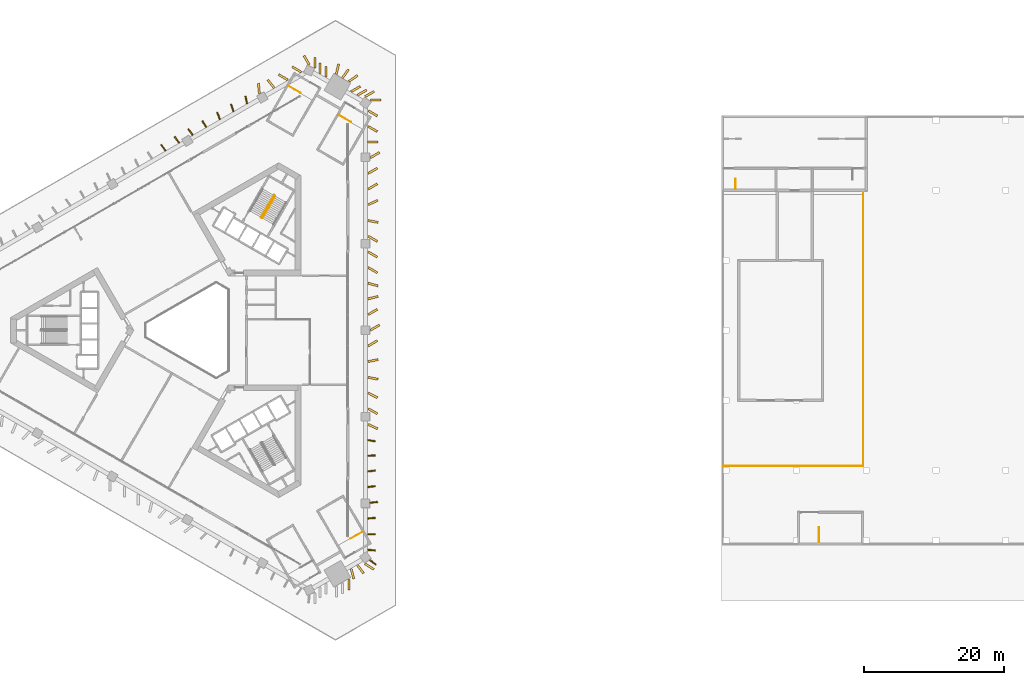
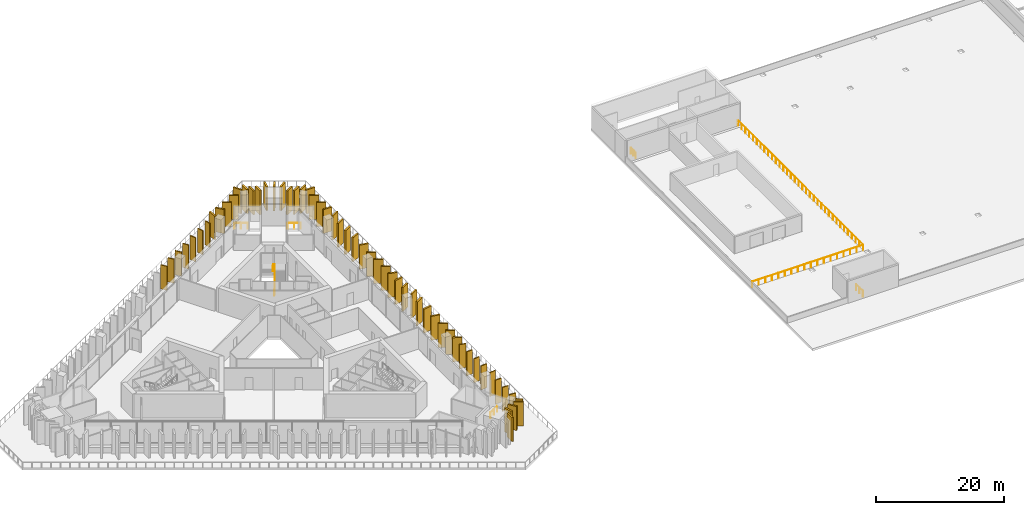
# One storey, part 30 of 31: 56 shading devices, 7 railings.
"""IFC4 building model written with IfcOpenShell, lengths in metres."""

from ifc_helpers import new_model, si_unit, direction, frame, frame_2d, origin, origin_2d, place, context, subcontext, project, spatial, rectangle, circle, extrude, material, layer, layer_set, type_object, element, save


model = new_model("IFC4")

# Units and contexts
model_context = context("Model", 3, precision=1e-05, world=origin(), true_north=direction((0.0, 1.0)))
body_context = subcontext(model_context, "Body", "Model", "MODEL_VIEW")
ifc_project = project(units=[si_unit("LENGTHUNIT", "METRE"), si_unit("AREAUNIT", "SQUARE_METRE"), si_unit("VOLUMEUNIT", "CUBIC_METRE"), si_unit("PLANEANGLEUNIT", "RADIAN"), si_unit("MASSUNIT", "GRAM", prefix="KILO")], contexts=[model_context])

# Site, building, storey
site_placement = place(None, origin())
site = spatial("IfcSite", under=ifc_project, at=site_placement, CompositionType="ELEMENT")
building_placement = place(site_placement, origin())
building = spatial("IfcBuilding", under=site, at=building_placement, Name="Jabali Bay Hotel Tower and Convention Centre", CompositionType="ELEMENT")
storey_placement = place(building_placement, frame((0.0, 0.0, 25.39990234375)))
storey = spatial("IfcBuildingStorey", under=building, at=storey_placement, Name="L04", CompositionType="ELEMENT", Elevation=25.39990234375)

# Railings
ifc_material_1 = material(Name="Stainless steel 304", Category="steel")
railing_type_1 = type_object("IfcRailingType", Name="CC Stair Guard 1100", PredefinedType="GUARDRAIL", material=ifc_material_1)
railing_1_placement = place(storey_placement, frame((152.050048828125, 100.175048828125, 0.0)))
element("IfcRailing", 1, at=railing_1_placement, inside=storey, type_object=railing_type_1, Name="L04 CC-STWA top well guard 1", PredefinedType="GUARDRAIL", context=body_context, shape_type="SweptSolid", body=[
    extrude(circle(Radius=0.02392578125, at=origin_2d()), frame((0.0, 0.0, 1.076171875), z_axis=(0.0, 1.0, 0.0), x_axis=(-1.0, 0.0, 0.0)), (0.0, 0.0, 1.0), 1.5),
    extrude(circle(Radius=0.02099609375, at=origin_2d()), origin(), (0.0, 0.0, 1.0), 1.052001953125),
    extrude(circle(Radius=0.02099609375, at=origin_2d()), frame((0.0, 0.75, 0.0)), (0.0, 0.0, 1.0), 1.052001953125),
    extrude(circle(Radius=0.02099609375, at=origin_2d()), frame((0.0, 1.5, 0.0)), (0.0, 0.0, 1.0), 1.052001953125),
])
railing_2_placement = place(storey_placement, frame((163.949951171875, 49.699951171875, 0.0)))
element("IfcRailing", 2, at=railing_2_placement, inside=storey, type_object=railing_type_1, Name="L04 CC-STS1 top well guard 1", PredefinedType="GUARDRAIL", context=body_context, shape_type="SweptSolid", body=[
    extrude(circle(Radius=0.02392578125, at=origin_2d()), frame((0.0, 0.0, 1.076171875), z_axis=(0.0, 1.0, 0.0), x_axis=(-1.0, 0.0, 0.0)), (0.0, 0.0, 1.0), 2.10009765625),
    extrude(circle(Radius=0.02099609375, at=origin_2d()), origin(), (0.0, 0.0, 1.0), 1.052001953125),
    extrude(circle(Radius=0.02099609375, at=origin_2d()), frame((0.0, 1.050048828125, 0.0)), (0.0, 0.0, 1.0), 1.052001953125),
    extrude(circle(Radius=0.02099609375, at=origin_2d()), frame((0.0, 2.10009765625, 0.0)), (0.0, 0.0, 1.0), 1.052001953125),
])
railing_type_2 = type_object("IfcRailingType", Name="CC Terrace Guard 1100", PredefinedType="GUARDRAIL", material=ifc_material_1)
railing_3_placement = place(storey_placement, frame((150.25, 60.60009765625, 0.0)))
element("IfcRailing", 3, at=railing_3_placement, inside=storey, type_object=railing_type_2, Name="CC roof garden terrace guard", PredefinedType="GUARDRAIL", context=body_context, shape_type="SweptSolid", body=[
    extrude(circle(Radius=0.02392578125, at=origin_2d()), frame((0.0, 0.0, 1.076171875), z_axis=(1.0, 0.0, 0.0), x_axis=(0.0, 1.0, 0.0)), (0.0, 0.0, 1.0), 20.050048828125),
    extrude(circle(Radius=0.02392578125, at=origin_2d()), frame((20.050048828125, 0.0, 1.076171875), z_axis=(0.0, 1.0, 0.0), x_axis=(-1.0, 0.0, 0.0)), (0.0, 0.0, 1.0), 39.224853515625),
    extrude(circle(Radius=0.02099609375, at=origin_2d()), origin(), (0.0, 0.0, 1.0), 1.052001953125),
    extrude(circle(Radius=0.02099609375, at=origin_2d()), frame((1.179443359375, 0.0, 0.0)), (0.0, 0.0, 1.0), 1.052001953125),
    extrude(circle(Radius=0.02099609375, at=origin_2d()), frame((2.35888671875, 0.0, 0.0)), (0.0, 0.0, 1.0), 1.052001953125),
    extrude(circle(Radius=0.02099609375, at=origin_2d()), frame((3.538330078125, 0.0, 0.0)), (0.0, 0.0, 1.0), 1.052001953125),
    extrude(circle(Radius=0.02099609375, at=origin_2d()), frame((4.7177734375, 0.0, 0.0)), (0.0, 0.0, 1.0), 1.052001953125),
    extrude(circle(Radius=0.02099609375, at=origin_2d()), frame((5.89697265625, 0.0, 0.0)), (0.0, 0.0, 1.0), 1.052001953125),
    extrude(circle(Radius=0.02099609375, at=origin_2d()), frame((7.076416015625, 0.0, 0.0)), (0.0, 0.0, 1.0), 1.052001953125),
    extrude(circle(Radius=0.02099609375, at=origin_2d()), frame((8.255859375, 0.0, 0.0)), (0.0, 0.0, 1.0), 1.052001953125),
    extrude(circle(Radius=0.02099609375, at=origin_2d()), frame((9.435302734375, 0.0, 0.0)), (0.0, 0.0, 1.0), 1.052001953125),
    extrude(circle(Radius=0.02099609375, at=origin_2d()), frame((10.61474609375, 0.0, 0.0)), (0.0, 0.0, 1.0), 1.052001953125),
    extrude(circle(Radius=0.02099609375, at=origin_2d()), frame((11.794189453125, 0.0, 0.0)), (0.0, 0.0, 1.0), 1.052001953125),
    extrude(circle(Radius=0.02099609375, at=origin_2d()), frame((12.9736328125, 0.0, 0.0)), (0.0, 0.0, 1.0), 1.052001953125),
    extrude(circle(Radius=0.02099609375, at=origin_2d()), frame((14.153076171875, 0.0, 0.0)), (0.0, 0.0, 1.0), 1.052001953125),
    extrude(circle(Radius=0.02099609375, at=origin_2d()), frame((15.332275390625, 0.0, 0.0)), (0.0, 0.0, 1.0), 1.052001953125),
    extrude(circle(Radius=0.02099609375, at=origin_2d()), frame((16.51171875, 0.0, 0.0)), (0.0, 0.0, 1.0), 1.052001953125),
    extrude(circle(Radius=0.02099609375, at=origin_2d()), frame((17.691162109375, 0.0, 0.0)), (0.0, 0.0, 1.0), 1.052001953125),
    extrude(circle(Radius=0.02099609375, at=origin_2d()), frame((18.87060546875, 0.0, 0.0)), (0.0, 0.0, 1.0), 1.052001953125),
    extrude(circle(Radius=0.02099609375, at=origin_2d()), frame((20.050048828125, 0.0, 0.0)), (0.0, 0.0, 1.0), 1.052001953125),
    extrude(circle(Radius=0.02099609375, at=origin_2d()), frame((20.050048828125, 1.188720703125, 0.0)), (0.0, 0.0, 1.0), 1.052001953125),
    extrude(circle(Radius=0.02099609375, at=origin_2d()), frame((20.050048828125, 2.377197265625, 0.0)), (0.0, 0.0, 1.0), 1.052001953125),
    extrude(circle(Radius=0.02099609375, at=origin_2d()), frame((20.050048828125, 3.56591796875, 0.0)), (0.0, 0.0, 1.0), 1.052001953125),
    extrude(circle(Radius=0.02099609375, at=origin_2d()), frame((20.050048828125, 4.754638671875, 0.0)), (0.0, 0.0, 1.0), 1.052001953125),
    extrude(circle(Radius=0.02099609375, at=origin_2d()), frame((20.050048828125, 5.943115234375, 0.0)), (0.0, 0.0, 1.0), 1.052001953125),
    extrude(circle(Radius=0.02099609375, at=origin_2d()), frame((20.050048828125, 7.1318359375, 0.0)), (0.0, 0.0, 1.0), 1.052001953125),
    extrude(circle(Radius=0.02099609375, at=origin_2d()), frame((20.050048828125, 8.3203125, 0.0)), (0.0, 0.0, 1.0), 1.052001953125),
    extrude(circle(Radius=0.02099609375, at=origin_2d()), frame((20.050048828125, 9.509033203125, 0.0)), (0.0, 0.0, 1.0), 1.052001953125),
    extrude(circle(Radius=0.02099609375, at=origin_2d()), frame((20.050048828125, 10.69775390625, 0.0)), (0.0, 0.0, 1.0), 1.052001953125),
    extrude(circle(Radius=0.02099609375, at=origin_2d()), frame((20.050048828125, 11.88623046875, 0.0)), (0.0, 0.0, 1.0), 1.052001953125),
    extrude(circle(Radius=0.02099609375, at=origin_2d()), frame((20.050048828125, 13.074951171875, 0.0)), (0.0, 0.0, 1.0), 1.052001953125),
    extrude(circle(Radius=0.02099609375, at=origin_2d()), frame((20.050048828125, 14.263671875, 0.0)), (0.0, 0.0, 1.0), 1.052001953125),
    extrude(circle(Radius=0.02099609375, at=origin_2d()), frame((20.050048828125, 15.4521484375, 0.0)), (0.0, 0.0, 1.0), 1.052001953125),
    extrude(circle(Radius=0.02099609375, at=origin_2d()), frame((20.050048828125, 16.640869140625, 0.0)), (0.0, 0.0, 1.0), 1.052001953125),
    extrude(circle(Radius=0.02099609375, at=origin_2d()), frame((20.050048828125, 17.82958984375, 0.0)), (0.0, 0.0, 1.0), 1.052001953125),
    extrude(circle(Radius=0.02099609375, at=origin_2d()), frame((20.050048828125, 19.01806640625, 0.0)), (0.0, 0.0, 1.0), 1.052001953125),
    extrude(circle(Radius=0.02099609375, at=origin_2d()), frame((20.050048828125, 20.206787109375, 0.0)), (0.0, 0.0, 1.0), 1.052001953125),
    extrude(circle(Radius=0.02099609375, at=origin_2d()), frame((20.050048828125, 21.395263671875, 0.0)), (0.0, 0.0, 1.0), 1.052001953125),
    extrude(circle(Radius=0.02099609375, at=origin_2d()), frame((20.050048828125, 22.583984375, 0.0)), (0.0, 0.0, 1.0), 1.052001953125),
    extrude(circle(Radius=0.02099609375, at=origin_2d()), frame((20.050048828125, 23.772705078125, 0.0)), (0.0, 0.0, 1.0), 1.052001953125),
    extrude(circle(Radius=0.02099609375, at=origin_2d()), frame((20.050048828125, 24.961181640625, 0.0)), (0.0, 0.0, 1.0), 1.052001953125),
    extrude(circle(Radius=0.02099609375, at=origin_2d()), frame((20.050048828125, 26.14990234375, 0.0)), (0.0, 0.0, 1.0), 1.052001953125),
    extrude(circle(Radius=0.02099609375, at=origin_2d()), frame((20.050048828125, 27.338623046875, 0.0)), (0.0, 0.0, 1.0), 1.052001953125),
    extrude(circle(Radius=0.02099609375, at=origin_2d()), frame((20.050048828125, 28.527099609375, 0.0)), (0.0, 0.0, 1.0), 1.052001953125),
    extrude(circle(Radius=0.02099609375, at=origin_2d()), frame((20.050048828125, 29.7158203125, 0.0)), (0.0, 0.0, 1.0), 1.052001953125),
    extrude(circle(Radius=0.02099609375, at=origin_2d()), frame((20.050048828125, 30.904541015625, 0.0)), (0.0, 0.0, 1.0), 1.052001953125),
    extrude(circle(Radius=0.02099609375, at=origin_2d()), frame((20.050048828125, 32.093017578125, 0.0)), (0.0, 0.0, 1.0), 1.052001953125),
    extrude(circle(Radius=0.02099609375, at=origin_2d()), frame((20.050048828125, 33.28173828125, 0.0)), (0.0, 0.0, 1.0), 1.052001953125),
    extrude(circle(Radius=0.02099609375, at=origin_2d()), frame((20.050048828125, 34.47021484375, 0.0)), (0.0, 0.0, 1.0), 1.052001953125),
    extrude(circle(Radius=0.02099609375, at=origin_2d()), frame((20.050048828125, 35.658935546875, 0.0)), (0.0, 0.0, 1.0), 1.052001953125),
    extrude(circle(Radius=0.02099609375, at=origin_2d()), frame((20.050048828125, 36.84765625, 0.0)), (0.0, 0.0, 1.0), 1.052001953125),
    extrude(circle(Radius=0.02099609375, at=origin_2d()), frame((20.050048828125, 38.0361328125, 0.0)), (0.0, 0.0, 1.0), 1.052001953125),
    extrude(circle(Radius=0.02099609375, at=origin_2d()), frame((20.050048828125, 39.224853515625, 0.0)), (0.0, 0.0, 1.0), 1.052001953125),
])

# Shading devices
ifc_material_2 = material(Name="Precast concrete C60", Category="concrete")
ifc_layer_1 = layer(ifc_material_2, 0.179931640625)
ifc_layer_set_1 = layer_set([ifc_layer_1], Name="Precast concrete C60")
shading_device_type_1 = type_object("IfcShadingDeviceType", Name="Precast fin 4580 x 1100", PredefinedType="USERDEFINED", material=ifc_layer_set_1)
for number, where, z_axis, x_axis, name in (
    (4, (99.442138671875, 48.603271484375, 0.010009765625), (0.0, 0.0, 1.0), (0.997047955085, -0.076781347086, 0.0), "Fin L04 000"),
    (5, (99.435302734375, 50.845947265625, 0.010009765625), (0.0, 0.0, 1.0), (0.999999901497, 0.000443852597, 0.0), "Fin L04 001"),
):
    element("IfcShadingDevice", number, at=place(storey_placement, frame(where, z_axis=z_axis, x_axis=x_axis)), inside=storey, type_object=shading_device_type_1, Name=name, ObjectType="FIN", PredefinedType="USERDEFINED", context=body_context, shape_type="SweptSolid", body=[
        extrude(rectangle(XDim=1.10009765625, YDim=0.179931640625, at=frame_2d((0.550048828125, 0.0))), origin(), (0.0, 0.0, 1.0), 4.580078125),
    ])
shading_device_1_placement = place(storey_placement, frame((99.44189453125, 53.088623046875, 0.010009765625), z_axis=(0.0, 0.0, 1.0), x_axis=(0.997313590221, 0.073250274821, 0.0)))
element("IfcShadingDevice", 6, at=shading_device_1_placement, inside=storey, type_object=shading_device_type_1, Name="Fin L04 002", ObjectType="FIN", PredefinedType="USERDEFINED", context=body_context, shape_type="SweptSolid", body=[
    extrude(rectangle(XDim=1.099853515625, YDim=0.179931640625, at=frame_2d((0.5498046875, 0.0))), origin(), (0.0, 0.0, 1.0), 4.580078125),
])
for number, where, z_axis, x_axis, name in (
    (7, (99.7529296875, 55.3310546875, 0.010009765625), (0.0, 0.0, 1.0), (0.993473889656, 0.114059767541, 0.0), "Fin L04 003"),
    (8, (99.44677734375, 57.57373046875, 0.010009765625), (0.0, 0.0, 1.0), (0.991852208753, 0.127393861675, 0.0), "Fin L04 004"),
):
    element("IfcShadingDevice", number, at=place(storey_placement, frame(where, z_axis=z_axis, x_axis=x_axis)), inside=storey, type_object=shading_device_type_1, Name=name, ObjectType="FIN", PredefinedType="USERDEFINED", context=body_context, shape_type="SweptSolid", body=[
        extrude(rectangle(XDim=1.10009765625, YDim=0.179931640625, at=frame_2d((0.550048828125, 0.0))), origin(), (0.0, 0.0, 1.0), 4.580078125),
    ])
for number, where, z_axis, x_axis, name in (
    (9, (99.446044921875, 59.81640625, 0.010009765625), (0.0, 0.0, 1.0), (0.992975238942, 0.118322334531, 0.0), "Fin L04 005"),
    (10, (99.438720703125, 62.05908203125, 0.010009765625), (0.0, 0.0, 1.0), (0.9993044565, 0.03729079269, 0.0), "Fin L04 006"),
):
    element("IfcShadingDevice", number, at=place(storey_placement, frame(where, z_axis=z_axis, x_axis=x_axis)), inside=storey, type_object=shading_device_type_1, Name=name, ObjectType="FIN", PredefinedType="USERDEFINED", context=body_context, shape_type="SweptSolid", body=[
        extrude(rectangle(XDim=1.099853515625, YDim=0.179931640625, at=frame_2d((0.5498046875, 0.0))), origin(), (0.0, 0.0, 1.0), 4.580078125),
    ])
shading_device_2_placement = place(storey_placement, frame((99.450439453125, 64.3017578125, 0.010009765625), z_axis=(0.0, 0.0, 1.0), x_axis=(0.98567079269, -0.168680432885, 0.0)))
element("IfcShadingDevice", 11, at=shading_device_2_placement, inside=storey, type_object=shading_device_type_1, Name="Fin L04 007", ObjectType="FIN", PredefinedType="USERDEFINED", context=body_context, shape_type="SweptSolid", body=[
    extrude(rectangle(XDim=1.10009765625, YDim=0.179931640625, at=frame_2d((0.550048828125, 0.0))), origin(), (0.0, 0.0, 1.0), 4.580078125),
])
for number, where, z_axis, x_axis, name in (
    (12, (82.190185546875, 112.398681640625, 0.010009765625), (0.0, 0.0, 1.0), (-0.209544247963, 0.977799165548, 0.0), "Fin L04 042"),
    (13, (80.252685546875, 111.269287109375, 0.010009765625), (0.0, 0.0, 1.0), (-0.314095998917, 0.949391227822, 0.0), "Fin L04 043"),
    (14, (78.313232421875, 110.143310546875, 0.010009765625), (0.0, 0.0, 1.0), (-0.369782834306, 0.929118213928, 0.0), "Fin L04 044"),
    (15, (76.375732421875, 109.013916015625, 0.010009765625), (0.0, 0.0, 1.0), (-0.53404309696, 0.845457255329, 0.0), "Fin L04 045"),
):
    element("IfcShadingDevice", number, at=place(storey_placement, frame(where, z_axis=z_axis, x_axis=x_axis)), inside=storey, type_object=shading_device_type_1, Name=name, ObjectType="FIN", PredefinedType="USERDEFINED", context=body_context, shape_type="SweptSolid", body=[
        extrude(rectangle(XDim=1.099853515625, YDim=0.179931640625, at=frame_2d((0.5498046875, 0.0))), origin(), (0.0, 0.0, 1.0), 4.580078125),
    ])
shading_device_3_placement = place(storey_placement, frame((74.430419921875, 107.898193359375, 0.010009765625), z_axis=(0.0, 0.0, 1.0), x_axis=(-0.593267174379, 0.805005627188, 0.0)))
element("IfcShadingDevice", 16, at=shading_device_3_placement, inside=storey, type_object=shading_device_type_1, Name="Fin L04 046", ObjectType="FIN", PredefinedType="USERDEFINED", context=body_context, shape_type="SweptSolid", body=[
    extrude(rectangle(XDim=1.10009765625, YDim=0.179931640625, at=frame_2d((0.550048828125, 0.0))), origin(), (0.0, 0.0, 1.0), 4.580078125),
])
shading_device_4_placement = place(storey_placement, frame((72.48828125, 106.776611328125, 0.010009765625), z_axis=(0.0, 0.0, 1.0), x_axis=(-0.590439470946, 0.807081923443, 0.0)))
element("IfcShadingDevice", 17, at=shading_device_4_placement, inside=storey, type_object=shading_device_type_1, Name="Fin L04 047", ObjectType="FIN", PredefinedType="USERDEFINED", context=body_context, shape_type="SweptSolid", body=[
    extrude(rectangle(XDim=1.099853515625, YDim=0.179931640625, at=frame_2d((0.5498046875, 0.0))), origin(), (0.0, 0.0, 1.0), 4.580078125),
])
shading_device_5_placement = place(storey_placement, frame((70.546142578125, 105.655029296875, 0.010009765625), z_axis=(0.0, 0.0, 1.0), x_axis=(-0.589042341197, 0.808102171929, 0.0)))
element("IfcShadingDevice", 18, at=shading_device_5_placement, inside=storey, type_object=shading_device_type_1, Name="Fin L04 048", ObjectType="FIN", PredefinedType="USERDEFINED", context=body_context, shape_type="SweptSolid", body=[
    extrude(rectangle(XDim=1.10009765625, YDim=0.179931640625, at=frame_2d((0.550048828125, 0.0))), origin(), (0.0, 0.0, 1.0), 4.580078125),
])
shading_device_6_placement = place(storey_placement, frame((99.734130859375, 47.140625, 0.010009765625), z_axis=(0.0, 0.0, 1.0), x_axis=(0.808390401845, -0.588646717653, 0.0)))
element("IfcShadingDevice", 19, at=shading_device_6_placement, inside=storey, type_object=shading_device_type_1, Name="Fin L04 114", ObjectType="FIN", PredefinedType="USERDEFINED", context=body_context, shape_type="SweptSolid", body=[
    extrude(rectangle(XDim=1.099853515625, YDim=0.179931640625, at=frame_2d((0.5498046875, 0.0))), origin(), (0.0, 0.0, 1.0), 4.580078125),
])
ifc_layer_2 = layer(ifc_material_2, 0.300048828125)
ifc_layer_set_2 = layer_set([ifc_layer_2], Name="Precast concrete C60")
shading_device_type_2 = type_object("IfcShadingDeviceType", Name="Precast fin 4580 x 1500", PredefinedType="USERDEFINED", material=ifc_layer_set_2)
for number, where, z_axis, x_axis, name in (
    (20, (99.498291015625, 66.544189453125, 0.010009765625), (0.0, 0.0, 1.0), (0.907773498193, -0.419460696583, 0.0), "Fin L04 008"),
    (21, (99.507568359375, 68.786865234375, 0.010009765625), (0.0, 0.0, 1.0), (0.876367078374, -0.481643793631, 0.0), "Fin L04 009"),
):
    element("IfcShadingDevice", number, at=place(storey_placement, frame(where, z_axis=z_axis, x_axis=x_axis)), inside=storey, type_object=shading_device_type_2, Name=name, ObjectType="FIN", PredefinedType="USERDEFINED", context=body_context, shape_type="SweptSolid", body=[
        extrude(rectangle(XDim=1.5, YDim=0.300048828125, at=frame_2d((0.75, 0.0))), origin(), (0.0, 0.0, 1.0), 4.580078125),
    ])
shading_device_7_placement = place(storey_placement, frame((99.5029296875, 71.029541015625, 0.010009765625), z_axis=(0.0, 0.0, 1.0), x_axis=(0.892137232559, -0.451764494269, 0.0)))
element("IfcShadingDevice", 22, at=shading_device_7_placement, inside=storey, type_object=shading_device_type_2, Name="Fin L04 010", ObjectType="FIN", PredefinedType="USERDEFINED", context=body_context, shape_type="SweptSolid", body=[
    extrude(rectangle(XDim=1.500244140625, YDim=0.300048828125, at=frame_2d((0.75, 0.0))), origin(), (0.0, 0.0, 1.0), 4.580078125),
])
for number, where, z_axis, x_axis, name in (
    (23, (99.462646484375, 73.272216796875, 0.010009765625), (0.0, 0.0, 1.0), (0.983156582344, -0.182765244491, 0.0), "Fin L04 011"),
    (24, (99.46484375, 75.5146484375, 0.010009765625), (0.0, 0.0, 1.0), (0.980253821544, 0.197743382563, 0.0), "Fin L04 012"),
    (25, (99.51025390625, 77.75732421875, 0.010009765625), (0.0, 0.0, 1.0), (0.866101569082, 0.499868054624, 0.0), "Fin L04 013"),
    (26, (99.817626953125, 80.0, 0.010009765625), (0.0, 0.0, 1.0), (0.866031096941, 0.499990139034, 0.0), "Fin L04 014"),
    (27, (99.51025390625, 82.24267578125, 0.010009765625), (0.0, 0.0, 1.0), (0.866031096941, 0.499990139034, 0.0), "Fin L04 015"),
    (28, (99.470703125, 84.4853515625, 0.010009765625), (0.0, 0.0, 1.0), (0.971832034218, 0.235674557955, 0.0), "Fin L04 016"),
    (29, (99.473876953125, 86.727783203125, 0.010009765625), (0.0, 0.0, 1.0), (0.966364492785, -0.257176334613, 0.0), "Fin L04 017"),
    (30, (99.51025390625, 88.970458984375, 0.010009765625), (0.0, 0.0, 1.0), (0.866031096941, -0.499990139034, 0.0), "Fin L04 018"),
    (31, (99.51025390625, 91.213134765625, 0.010009765625), (0.0, 0.0, 1.0), (0.866031096941, -0.499990139034, 0.0), "Fin L04 019"),
    (32, (99.51025390625, 93.455810546875, 0.010009765625), (0.0, 0.0, 1.0), (0.866031096941, -0.499990139034, 0.0), "Fin L04 020"),
    (33, (99.463134765625, 95.6982421875, 0.010009765625), (0.0, 0.0, 1.0), (0.982514766399, -0.186184676621, 0.0), "Fin L04 021"),
):
    element("IfcShadingDevice", number, at=place(storey_placement, frame(where, z_axis=z_axis, x_axis=x_axis)), inside=storey, type_object=shading_device_type_2, Name=name, ObjectType="FIN", PredefinedType="USERDEFINED", context=body_context, shape_type="SweptSolid", body=[
        extrude(rectangle(XDim=1.5, YDim=0.300048828125, at=frame_2d((0.75, 0.0))), origin(), (0.0, 0.0, 1.0), 4.580078125),
    ])
shading_device_8_placement = place(storey_placement, frame((99.49853515625, 97.94091796875, 0.010009765625), z_axis=(0.0, 0.0, 1.0), x_axis=(0.906453195831, 0.422306291415, 0.0)))
element("IfcShadingDevice", 34, at=shading_device_8_placement, inside=storey, type_object=shading_device_type_2, Name="Fin L04 022", ObjectType="FIN", PredefinedType="USERDEFINED", context=body_context, shape_type="SweptSolid", body=[
    extrude(rectangle(XDim=1.500244140625, YDim=0.300048828125, at=frame_2d((0.75, 0.0))), origin(), (0.0, 0.0, 1.0), 4.580078125),
])
for number, where, z_axis, x_axis, name in (
    (35, (99.51025390625, 100.18359375, 0.010009765625), (0.0, 0.0, 1.0), (0.866031096941, 0.499990139034, 0.0), "Fin L04 023"),
    (36, (99.51025390625, 102.42626953125, 0.010009765625), (0.0, 0.0, 1.0), (0.866031096941, 0.499990139034, 0.0), "Fin L04 024"),
    (37, (99.817626953125, 104.6689453125, 0.010009765625), (0.0, 0.0, 1.0), (0.866031096941, 0.499990139034, 0.0), "Fin L04 025"),
):
    element("IfcShadingDevice", number, at=place(storey_placement, frame(where, z_axis=z_axis, x_axis=x_axis)), inside=storey, type_object=shading_device_type_2, Name=name, ObjectType="FIN", PredefinedType="USERDEFINED", context=body_context, shape_type="SweptSolid", body=[
        extrude(rectangle(XDim=1.5, YDim=0.300048828125, at=frame_2d((0.75, 0.0))), origin(), (0.0, 0.0, 1.0), 4.580078125),
    ])
shading_device_9_placement = place(storey_placement, frame((99.437255859375, 106.911376953125, 0.010009765625), z_axis=(0.0, 0.0, 1.0), x_axis=(0.999906553017, 0.013670597405, 0.0)))
element("IfcShadingDevice", 38, at=shading_device_9_placement, inside=storey, type_object=shading_device_type_2, Name="Fin L04 026", ObjectType="FIN", PredefinedType="USERDEFINED", context=body_context, shape_type="SweptSolid", body=[
    extrude(rectangle(XDim=1.500244140625, YDim=0.300048828125, at=frame_2d((0.75, 0.0))), origin(), (0.0, 0.0, 1.0), 4.580078125),
])
for number, where, z_axis, x_axis, name in (
    (39, (99.51025390625, 109.154052734375, 0.010009765625), (0.0, 0.0, 1.0), (0.866031096941, -0.499990139034, 0.0), "Fin L04 027"),
    (40, (99.51025390625, 111.396728515625, 0.010009765625), (0.0, 0.0, 1.0), (0.866031096941, -0.499990139034, 0.0), "Fin L04 028"),
    (41, (99.05712890625, 113.402587890625, 0.010009765625), (0.0, 0.0, 1.0), (0.866031096941, 0.499990139034, 0.0), "Fin L04 029"),
    (42, (97.981689453125, 113.606201171875, 0.010009765625), (0.0, 0.0, 1.0), (0.866031096941, 0.499990139034, 0.0), "Fin L04 030"),
    (43, (97.0869140625, 114.122802734375, 0.010009765625), (0.0, 0.0, 1.0), (0.866031096941, 0.499990139034, 0.0), "Fin L04 031"),
    (44, (96.74365234375, 115.594970703125, 0.010009765625), (0.0, 0.0, 1.0), (0.830016638026, 0.557738631081, 0.0), "Fin L04 032"),
):
    element("IfcShadingDevice", number, at=place(storey_placement, frame(where, z_axis=z_axis, x_axis=x_axis)), inside=storey, type_object=shading_device_type_2, Name=name, ObjectType="FIN", PredefinedType="USERDEFINED", context=body_context, shape_type="SweptSolid", body=[
        extrude(rectangle(XDim=1.5, YDim=0.300048828125, at=frame_2d((0.75, 0.0))), origin(), (0.0, 0.0, 1.0), 4.580078125),
    ])
shading_device_10_placement = place(storey_placement, frame((95.82275390625, 116.066162109375, 0.010009765625), z_axis=(0.0, 0.0, 1.0), x_axis=(0.576919581247, 0.81680095297, 0.0)))
element("IfcShadingDevice", 45, at=shading_device_10_placement, inside=storey, type_object=shading_device_type_2, Name="Fin L04 033", ObjectType="FIN", PredefinedType="USERDEFINED", context=body_context, shape_type="SweptSolid", body=[
    extrude(rectangle(XDim=1.500244140625, YDim=0.300048828125, at=frame_2d((0.75, 0.0))), origin(), (0.0, 0.0, 1.0), 4.580078125),
])
shading_device_11_placement = place(storey_placement, frame((94.942626953125, 116.60791015625, 0.010009765625), z_axis=(0.0, 0.0, 1.0), x_axis=(0.233754646704, 0.972295616129, 0.0)))
element("IfcShadingDevice", 46, at=shading_device_11_placement, inside=storey, type_object=shading_device_type_2, Name="Fin L04 034", ObjectType="FIN", PredefinedType="USERDEFINED", context=body_context, shape_type="SweptSolid", body=[
    extrude(rectangle(XDim=1.499755859375, YDim=0.300048828125, at=frame_2d((0.75, 0.0))), origin(), (0.0, 0.0, 1.0), 4.580078125),
])
for number, where, z_axis, x_axis, name in (
    (47, (93.5078125, 116.189208984375, 0.010009765625), (0.0, 0.0, 1.0), (0.0, 1.0, 0.0), "Fin L04 035"),
    (48, (92.613037109375, 116.705810546875, 0.010009765625), (0.0, 0.0, 1.0), (0.0, 1.0, 0.0), "Fin L04 036"),
    (49, (91.89892578125, 117.535400390625, 0.010009765625), (0.0, 0.0, 1.0), (0.0, 1.0, 0.0), "Fin L04 037"),
):
    element("IfcShadingDevice", number, at=place(storey_placement, frame(where, z_axis=z_axis, x_axis=x_axis)), inside=storey, type_object=shading_device_type_2, Name=name, ObjectType="FIN", PredefinedType="USERDEFINED", context=body_context, shape_type="SweptSolid", body=[
        extrude(rectangle(XDim=1.5, YDim=0.300048828125, at=frame_2d((0.75, 0.0))), origin(), (0.0, 0.0, 1.0), 4.580078125),
    ])
for number, where, z_axis, x_axis, name in (
    (50, (89.935302734375, 116.924560546875, 0.010009765625), (0.0, 0.0, 1.0), (-0.864563110664, 0.502524255812, 0.0), "Fin L04 038"),
    (51, (87.99365234375, 115.802490234375, 0.010009765625), (0.0, 0.0, 1.0), (-0.860949212013, 0.508690922205, 0.0), "Fin L04 039"),
):
    element("IfcShadingDevice", number, at=place(storey_placement, frame(where, z_axis=z_axis, x_axis=x_axis)), inside=storey, type_object=shading_device_type_2, Name=name, ObjectType="FIN", PredefinedType="USERDEFINED", context=body_context, shape_type="SweptSolid", body=[
        extrude(rectangle(XDim=1.499755859375, YDim=0.300048828125, at=frame_2d((0.75, 0.0))), origin(), (0.0, 0.0, 1.0), 4.580078125),
    ])
for number, where, z_axis, x_axis, name in (
    (52, (86.07763671875, 114.63623046875, 0.010009765625), (0.0, 0.0, 1.0), (-0.620298467393, 0.784365865748, 0.0), "Fin L04 040"),
    (53, (83.96142578125, 113.81591796875, 0.010009765625), (0.0, 0.0, 1.0), (-0.097328031, 0.995252357134, 0.0), "Fin L04 041"),
    (54, (96.748291015625, 44.397216796875, 0.010009765625), (0.0, 0.0, 1.0), (0.0, -1.0, 0.0), "Fin L04 110"),
    (55, (97.068603515625, 45.908935546875, 0.010009765625), (0.0, 0.0, 1.0), (0.261560794885, -0.965187002906, 0.0), "Fin L04 111"),
    (56, (97.952880859375, 46.443359375, 0.010009765625), (0.0, 0.0, 1.0), (0.598488467403, -0.801131421419, 0.0), "Fin L04 112"),
    (57, (99.0546875, 46.6015625, 0.010009765625), (0.0, 0.0, 1.0), (0.848327326582, -0.529472139941, 0.0), "Fin L04 113"),
    (58, (99.822265625, 112.910400390625, 0.010009765625), (0.0, 0.0, 1.0), (1.0, 0.0, 0.0), "Fin L04 115"),
    (59, (91.090087890625, 117.951904296875, 0.010009765625), (0.0, 0.0, 1.0), (-0.498731046508, 0.866756795906, 0.0), "Fin L04 116"),
):
    element("IfcShadingDevice", number, at=place(storey_placement, frame(where, z_axis=z_axis, x_axis=x_axis)), inside=storey, type_object=shading_device_type_2, Name=name, ObjectType="FIN", PredefinedType="USERDEFINED", context=body_context, shape_type="SweptSolid", body=[
        extrude(rectangle(XDim=1.5, YDim=0.300048828125, at=frame_2d((0.75, 0.0))), origin(), (0.0, 0.0, 1.0), 4.580078125),
    ])

# Railings
ifc_material_3 = material(Name="Steel Q355B", Category="steel")
railing_type_3 = type_object("IfcRailingType", Name="Stair guard 1100", PredefinedType="GUARDRAIL", material=ifc_material_3)
railing_4_placement = place(storey_placement, frame((84.329833984375, 96.010009765625, 0.0)))
element("IfcRailing", 60, at=railing_4_placement, inside=storey, type_object=railing_type_3, Name="L04 ST2 stair guard 1", PredefinedType="GUARDRAIL", context=body_context, shape_type="SweptSolid", body=[
    extrude(circle(Radius=0.02392578125, at=origin_2d()), frame((0.0, 0.0, 1.076171875), z_axis=(0.382110956236, 0.102351148992, 0.918430976952), x_axis=(-0.258736085224, 0.965948051503, 0.0)), (0.0, 0.0, 1.0), 0.178955078125),
    extrude(circle(Radius=0.02392578125, at=origin_2d()), frame((0.068359375, 0.018310546875, 1.240234375), z_axis=(0.431260529703, 0.746939766535, 0.506058633647), x_axis=(-0.866018046521, 0.500012742938, 0.0)), (0.0, 0.0, 1.0), 4.220458984375),
    extrude(circle(Radius=0.02392578125, at=origin_2d()), frame((1.888427734375, 3.170654296875, 3.3759765625), z_axis=(-0.718850276695, 0.695164929852, 0.0), x_axis=(-0.695164929852, -0.718850276695, 0.0)), (0.0, 0.0, 1.0), 0.2060546875),
    extrude(circle(Radius=0.02392578125, at=origin_2d()), frame((1.740234375, 3.31396484375, 3.3759765625), z_axis=(-0.434271292645, -0.729137851012, 0.528929521397), x_axis=(0.859157857954, -0.511710636118, 0.0)), (0.0, 0.0, 1.0), 4.348388671875),
    extrude(circle(Radius=0.02099609375, at=origin_2d()), origin(), (0.0, 0.0, 1.0), 1.052001953125),
    extrude(circle(Radius=0.02099609375, at=origin_2d()), frame((0.068359375, 0.018310546875, 0.164306640625)), (0.0, 0.0, 1.0), 1.052001953125),
    extrude(circle(Radius=0.02099609375, at=origin_2d()), frame((0.5234375, 0.806396484375, 0.6982421875)), (0.0, 0.0, 1.0), 1.052001953125),
    extrude(circle(Radius=0.02099609375, at=origin_2d()), frame((0.978515625, 1.594482421875, 1.232177734375)), (0.0, 0.0, 1.0), 1.052001953125),
    extrude(circle(Radius=0.02099609375, at=origin_2d()), frame((1.433349609375, 2.382568359375, 1.76611328125)), (0.0, 0.0, 1.0), 1.052001953125),
    extrude(circle(Radius=0.02099609375, at=origin_2d()), frame((1.888427734375, 3.170654296875, 2.300048828125)), (0.0, 0.0, 1.0), 1.052001953125),
    extrude(circle(Radius=0.02099609375, at=origin_2d()), frame((1.740234375, 3.31396484375, 2.300048828125)), (0.0, 0.0, 1.0), 1.052001953125),
    extrude(circle(Radius=0.02099609375, at=origin_2d()), frame((1.26806640625, 2.521240234375, 2.875)), (0.0, 0.0, 1.0), 1.052001953125),
    extrude(circle(Radius=0.02099609375, at=origin_2d()), frame((0.7958984375, 1.728515625, 3.4501953125)), (0.0, 0.0, 1.0), 1.052001953125),
    extrude(circle(Radius=0.02099609375, at=origin_2d()), frame((0.323974609375, 0.93603515625, 4.025146484375)), (0.0, 0.0, 1.0), 1.052001953125),
    extrude(circle(Radius=0.02099609375, at=origin_2d()), frame((-0.148193359375, 0.143310546875, 4.60009765625)), (0.0, 0.0, 1.0), 1.052001953125),
])
railing_5_placement = place(storey_placement, frame((88.073974609375, 114.94482421875, 0.0)))
element("IfcRailing", 61, at=railing_5_placement, inside=storey, type_object=railing_type_3, Name="L04 PS3 top well guard 1", PredefinedType="GUARDRAIL", context=body_context, shape_type="SweptSolid", body=[
    extrude(circle(Radius=0.02392578125, at=origin_2d()), frame((0.0, 0.0, 1.076171875), z_axis=(0.865999163574, -0.500045446624, 0.0), x_axis=(0.500045446624, 0.865999163574, 0.0)), (0.0, 0.0, 1.0), 2.050048828125),
    extrude(circle(Radius=0.02099609375, at=origin_2d()), origin(), (0.0, 0.0, 1.0), 1.052001953125),
    extrude(circle(Radius=0.02099609375, at=origin_2d()), frame((0.8876953125, -0.5126953125, 0.0)), (0.0, 0.0, 1.0), 1.052001953125),
    extrude(circle(Radius=0.02099609375, at=origin_2d()), frame((1.775390625, -1.025146484375, 0.0)), (0.0, 0.0, 1.0), 1.052001953125),
])
railing_6_placement = place(storey_placement, frame((95.261962890625, 110.794677734375, 0.0)))
element("IfcRailing", 62, at=railing_6_placement, inside=storey, type_object=railing_type_3, Name="L04 PS4 top well guard 1", PredefinedType="GUARDRAIL", context=body_context, shape_type="SweptSolid", body=[
    extrude(circle(Radius=0.02392578125, at=origin_2d()), frame((0.0, 0.0, 1.076171875), z_axis=(0.866050731258, -0.499956128963, 0.0), x_axis=(0.499956128963, 0.866050731258, 0.0)), (0.0, 0.0, 1.0), 2.050048828125),
    extrude(circle(Radius=0.02099609375, at=origin_2d()), origin(), (0.0, 0.0, 1.0), 1.052001953125),
    extrude(circle(Radius=0.02099609375, at=origin_2d()), frame((0.8876953125, -0.512451171875, 0.0)), (0.0, 0.0, 1.0), 1.052001953125),
    extrude(circle(Radius=0.02099609375, at=origin_2d()), frame((1.775390625, -1.02490234375, 0.0)), (0.0, 0.0, 1.0), 1.052001953125),
])
railing_7_placement = place(storey_placement, frame((98.72607421875, 51.205322265625, 0.0)))
element("IfcRailing", 63, at=railing_7_placement, inside=storey, type_object=railing_type_3, Name="L04 PS5 top well guard 1", PredefinedType="GUARDRAIL", context=body_context, shape_type="SweptSolid", body=[
    extrude(circle(Radius=0.02392578125, at=origin_2d()), frame((0.0, 0.0, 1.076171875), z_axis=(-0.865999163574, -0.500045446624, 0.0), x_axis=(0.500045446624, -0.865999163574, 0.0)), (0.0, 0.0, 1.0), 2.050048828125),
    extrude(circle(Radius=0.02099609375, at=origin_2d()), origin(), (0.0, 0.0, 1.0), 1.052001953125),
    extrude(circle(Radius=0.02099609375, at=origin_2d()), frame((-0.8876953125, -0.5126953125, 0.0)), (0.0, 0.0, 1.0), 1.052001953125),
    extrude(circle(Radius=0.02099609375, at=origin_2d()), frame((-1.775390625, -1.025146484375, 0.0)), (0.0, 0.0, 1.0), 1.052001953125),
])

save(model, "model.ifc")
